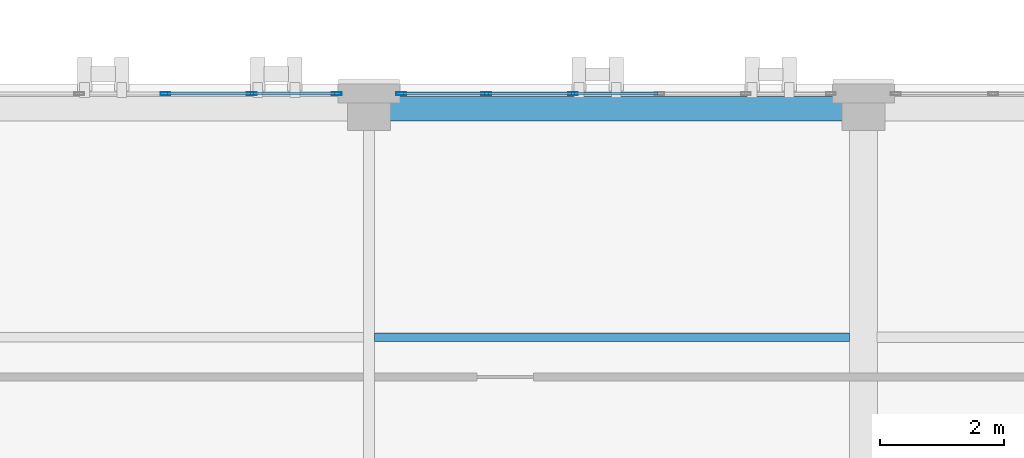
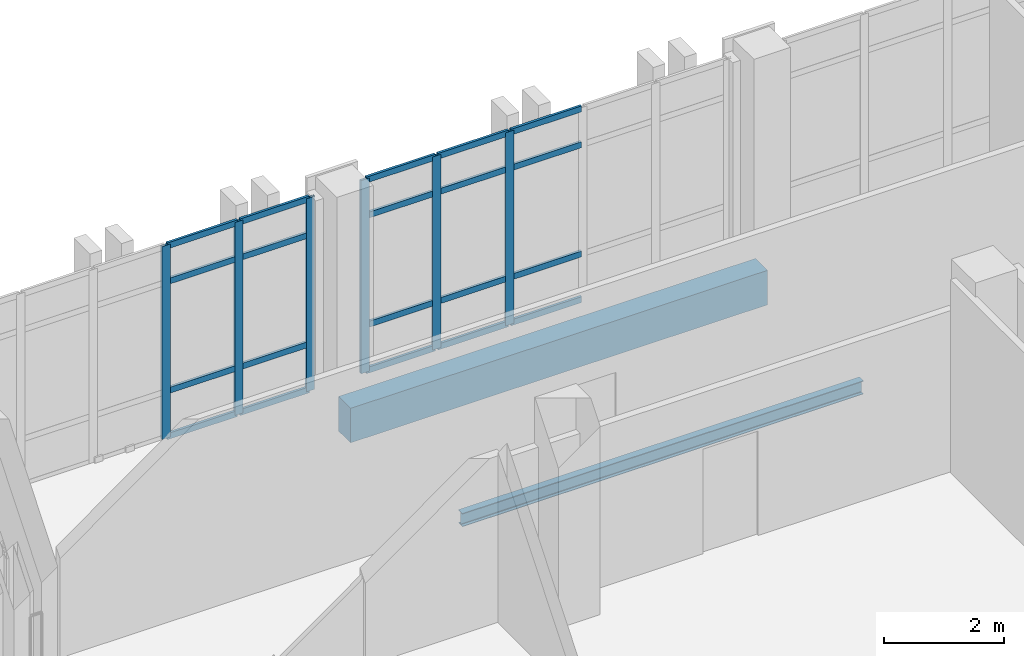
# One storey, part 54 of 193: 26 members, 2 beams, 2 elements without a shape of their own.
"""IFC4 building model written with IfcOpenShell, lengths in metres."""

from ifc_helpers import new_model, si_unit, direction, frame, origin, origin_2d, place, context, subcontext, project, spatial, rectangle, hollow_rectangle, i_section, extrude, material, layer, layer_set, material_profile, profile_set, type_object, element, aggregate, save


model = new_model("IFC4")

# Units and contexts
model_context = context("Model", 3, precision=1e-05, world=origin(), true_north=direction((0.0, 1.0)))
body_context = subcontext(model_context, "Body", "Model", "MODEL_VIEW")
ifc_project = project(units=[si_unit("LENGTHUNIT", "METRE"), si_unit("AREAUNIT", "SQUARE_METRE"), si_unit("VOLUMEUNIT", "CUBIC_METRE"), si_unit("PLANEANGLEUNIT", "RADIAN"), si_unit("MASSUNIT", "GRAM", prefix="KILO")], contexts=[model_context])

# Site, building, storey
site_placement = place(None, origin())
site = spatial("IfcSite", under=ifc_project, at=site_placement, CompositionType="ELEMENT")
building_placement = place(site_placement, origin())
building = spatial("IfcBuilding", under=site, at=building_placement, Name="Qalavern Law Courts", CompositionType="ELEMENT")
storey_placement = place(building_placement, frame((0.0, 0.0, 10.199951171875)))
storey = spatial("IfcBuildingStorey", under=building, at=storey_placement, Name="L02", CompositionType="ELEMENT", Elevation=10.199951171875)

# Curtain wall, members
ifc_material_1 = material(Name="Anodised aluminium and insulated glazing", Category="aluminium")
ifc_layer = layer(ifc_material_1, 0.172119140625)
ifc_layer_set = layer_set([ifc_layer], Name="Anodised aluminium and insulated glazing")
curtain_wall_type = type_object("IfcCurtainWallType", Name="ENV-CW-COURT", PredefinedType="USERDEFINED", material=ifc_layer_set)
curtain_wall_1_placement = place(storey_placement, origin())
curtain_wall_1 = element("IfcCurtainWall", 1, at=curtain_wall_1_placement, inside=storey, type_object=curtain_wall_type, Name="V6 unitised curtain wall L02 north 7", ObjectType="UNITISED CURTAIN WALL", PredefinedType="USERDEFINED")
ifc_material_2 = material(Name="Anodised aluminium", Category="aluminium")
ifc_material_profile_1 = material_profile(ifc_material_2, hollow_rectangle(XDim=0.048095703125, YDim=0.159912109375, WallThickness=0.00390625, at=origin_2d()), Name="ALU MULLION 48x160")
ifc_profile_set_1 = profile_set([ifc_material_profile_1], Name="Anodised aluminium")
member_type_1 = type_object("IfcMemberType", Name="ENV-CWM-48x160", PredefinedType="MULLION", material=ifc_profile_set_1)
member_1_placement = place(storey_placement, frame((113.10009765625, 22.445068359375, 0.0), z_axis=(0.0, 0.0, 1.0), x_axis=(0.0, -1.0, 0.0)))
member_1 = element("IfcMember", 2, at=member_1_placement, type_object=member_type_1, Name="CW-03 mullion 4", PredefinedType="MULLION", context=body_context, shape_type="SweptSolid", body=[
    extrude(hollow_rectangle(XDim=0.048095703125, YDim=0.159912109375, WallThickness=0.00390625, at=origin_2d()), origin(), (0.0, 0.0, 1.0), 3.9150390625),
])
member_2_placement = place(storey_placement, frame((111.699951171875, 22.445068359375, 0.0), z_axis=(0.0, 0.0, 1.0), x_axis=(0.0, -1.0, 0.0)))
member_2 = element("IfcMember", 3, at=member_2_placement, type_object=member_type_1, Name="CW-03 mullion 5", PredefinedType="MULLION", context=body_context, shape_type="SweptSolid", body=[
    extrude(hollow_rectangle(XDim=0.048095703125, YDim=0.159912109375, WallThickness=0.00390625, at=origin_2d()), origin(), (0.0, 0.0, 1.0), 3.9150390625),
])
member_3_placement = place(storey_placement, frame((110.323974609375, 22.445068359375, 0.0), z_axis=(0.0, 0.0, 1.0), x_axis=(0.0, -1.0, 0.0)))
member_3 = element("IfcMember", 4, at=member_3_placement, type_object=member_type_1, Name="CW-03 mullion 6", PredefinedType="MULLION", context=body_context, shape_type="SweptSolid", body=[
    extrude(hollow_rectangle(XDim=0.048095703125, YDim=0.159912109375, WallThickness=0.00390625, at=origin_2d()), origin(), (0.0, 0.0, 1.0), 3.9150390625),
])

curtain_wall_2_placement = place(storey_placement, origin())
curtain_wall_2 = element("IfcCurtainWall", 5, at=curtain_wall_2_placement, inside=storey, type_object=curtain_wall_type, Name="V6 unitised curtain wall L02 north 8", ObjectType="UNITISED CURTAIN WALL", PredefinedType="USERDEFINED")
member_4_placement = place(storey_placement, frame((109.27587890625, 22.445068359375, 0.0), z_axis=(0.0, 0.0, 1.0), x_axis=(0.0, -1.0, 0.0)))
member_4 = element("IfcMember", 6, at=member_4_placement, type_object=member_type_1, Name="CW-03 mullion 1", PredefinedType="MULLION", context=body_context, shape_type="SweptSolid", body=[
    extrude(hollow_rectangle(XDim=0.048095703125, YDim=0.159912109375, WallThickness=0.00390625, at=origin_2d()), origin(), (0.0, 0.0, 1.0), 3.9150390625),
])
member_5_placement = place(storey_placement, frame((107.904052734375, 22.445068359375, 0.0), z_axis=(0.0, 0.0, 1.0), x_axis=(0.0, -1.0, 0.0)))
member_5 = element("IfcMember", 7, at=member_5_placement, type_object=member_type_1, Name="CW-03 mullion 2", PredefinedType="MULLION", context=body_context, shape_type="SweptSolid", body=[
    extrude(hollow_rectangle(XDim=0.048095703125, YDim=0.159912109375, WallThickness=0.00390625, at=origin_2d()), origin(), (0.0, 0.0, 1.0), 3.9150390625),
])
member_6_placement = place(storey_placement, frame((106.508056640625, 22.445068359375, 0.0), z_axis=(0.0, 0.0, 1.0), x_axis=(0.0, -1.0, 0.0)))
member_6 = element("IfcMember", 8, at=member_6_placement, type_object=member_type_1, Name="CW-03 mullion 3", PredefinedType="MULLION", context=body_context, shape_type="SweptSolid", body=[
    extrude(hollow_rectangle(XDim=0.048095703125, YDim=0.159912109375, WallThickness=0.00390625, at=origin_2d()), origin(), (0.0, 0.0, 1.0), 3.9150390625),
])

# Member
ifc_material_profile_2 = material_profile(ifc_material_2, hollow_rectangle(XDim=0.048095703125, YDim=0.1201171875, WallThickness=0.00390625, at=origin_2d()), Name="ALU TRANSOM 48x120")
ifc_profile_set_2 = profile_set([ifc_material_profile_2], Name="Anodised aluminium")
member_type_2 = type_object("IfcMemberType", Name="ENV-CWT-48x120", PredefinedType="USERDEFINED", material=ifc_profile_set_2)
member_7_placement = place(storey_placement, frame((114.47607421875, 22.445068359375, 0.024169921875), z_axis=(-1.0, 0.0, 0.0), x_axis=(0.0, -1.0, 0.0)))
member_7 = element("IfcMember", 9, at=member_7_placement, type_object=member_type_2, Name="CW-03 transom 3.1", ObjectType="TRANSOM", PredefinedType="USERDEFINED", context=body_context, shape_type="SweptSolid", body=[
    extrude(hollow_rectangle(XDim=0.048095703125, YDim=0.1201171875, WallThickness=0.00390625, at=origin_2d()), origin(), (0.0, 0.0, 1.0), 1.35205078125),
])

member_8_placement = place(storey_placement, frame((114.47607421875, 22.445068359375, 0.949951171875), z_axis=(-1.0, 0.0, 0.0), x_axis=(0.0, -1.0, 0.0)))
member_8 = element("IfcMember", 10, at=member_8_placement, type_object=member_type_2, Name="CW-03 transom 3.2", ObjectType="TRANSOM", PredefinedType="USERDEFINED", context=body_context, shape_type="SweptSolid", body=[
    extrude(hollow_rectangle(XDim=0.048095703125, YDim=0.1201171875, WallThickness=0.00390625, at=origin_2d()), origin(), (0.0, 0.0, 1.0), 1.35205078125),
])

member_9_placement = place(storey_placement, frame((114.47607421875, 22.445068359375, 3.1650390625), z_axis=(-1.0, 0.0, 0.0), x_axis=(0.0, -1.0, 0.0)))
member_9 = element("IfcMember", 11, at=member_9_placement, type_object=member_type_2, Name="CW-03 transom 3.3", ObjectType="TRANSOM", PredefinedType="USERDEFINED", context=body_context, shape_type="SweptSolid", body=[
    extrude(hollow_rectangle(XDim=0.048095703125, YDim=0.1201171875, WallThickness=0.00390625, at=origin_2d()), origin(), (0.0, 0.0, 1.0), 1.35205078125),
])

member_10_placement = place(storey_placement, frame((114.47607421875, 22.445068359375, 3.89111328125), z_axis=(-1.0, 0.0, 0.0), x_axis=(0.0, -1.0, 0.0)))
member_10 = element("IfcMember", 12, at=member_10_placement, type_object=member_type_2, Name="CW-03 transom 3.4", ObjectType="TRANSOM", PredefinedType="USERDEFINED", context=body_context, shape_type="SweptSolid", body=[
    extrude(hollow_rectangle(XDim=0.048095703125, YDim=0.1201171875, WallThickness=0.00390625, at=origin_2d()), origin(), (0.0, 0.0, 1.0), 1.35205078125),
])

member_11_placement = place(storey_placement, frame((113.075927734375, 22.445068359375, 0.024169921875), z_axis=(-1.0, 0.0, 0.0), x_axis=(0.0, -1.0, 0.0)))
member_11 = element("IfcMember", 13, at=member_11_placement, type_object=member_type_2, Name="CW-03 transom 4.1", ObjectType="TRANSOM", PredefinedType="USERDEFINED", context=body_context, shape_type="SweptSolid", body=[
    extrude(hollow_rectangle(XDim=0.048095703125, YDim=0.1201171875, WallThickness=0.00390625, at=origin_2d()), origin(), (0.0, 0.0, 1.0), 1.351806640625),
])

member_12_placement = place(storey_placement, frame((113.075927734375, 22.445068359375, 0.949951171875), z_axis=(-1.0, 0.0, 0.0), x_axis=(0.0, -1.0, 0.0)))
member_12 = element("IfcMember", 14, at=member_12_placement, type_object=member_type_2, Name="CW-03 transom 4.2", ObjectType="TRANSOM", PredefinedType="USERDEFINED", context=body_context, shape_type="SweptSolid", body=[
    extrude(hollow_rectangle(XDim=0.048095703125, YDim=0.1201171875, WallThickness=0.00390625, at=origin_2d()), origin(), (0.0, 0.0, 1.0), 1.351806640625),
])

member_13_placement = place(storey_placement, frame((113.075927734375, 22.445068359375, 3.1650390625), z_axis=(-1.0, 0.0, 0.0), x_axis=(0.0, -1.0, 0.0)))
member_13 = element("IfcMember", 15, at=member_13_placement, type_object=member_type_2, Name="CW-03 transom 4.3", ObjectType="TRANSOM", PredefinedType="USERDEFINED", context=body_context, shape_type="SweptSolid", body=[
    extrude(hollow_rectangle(XDim=0.048095703125, YDim=0.1201171875, WallThickness=0.00390625, at=origin_2d()), origin(), (0.0, 0.0, 1.0), 1.351806640625),
])

member_14_placement = place(storey_placement, frame((113.075927734375, 22.445068359375, 3.89111328125), z_axis=(-1.0, 0.0, 0.0), x_axis=(0.0, -1.0, 0.0)))
member_14 = element("IfcMember", 16, at=member_14_placement, type_object=member_type_2, Name="CW-03 transom 4.4", ObjectType="TRANSOM", PredefinedType="USERDEFINED", context=body_context, shape_type="SweptSolid", body=[
    extrude(hollow_rectangle(XDim=0.048095703125, YDim=0.1201171875, WallThickness=0.00390625, at=origin_2d()), origin(), (0.0, 0.0, 1.0), 1.351806640625),
])

member_15_placement = place(storey_placement, frame((111.676025390625, 22.445068359375, 0.024169921875), z_axis=(-1.0, 0.0, 0.0), x_axis=(0.0, -1.0, 0.0)))
member_15 = element("IfcMember", 17, at=member_15_placement, type_object=member_type_2, Name="CW-03 transom 5.1", ObjectType="TRANSOM", PredefinedType="USERDEFINED", context=body_context, shape_type="SweptSolid", body=[
    extrude(hollow_rectangle(XDim=0.048095703125, YDim=0.1201171875, WallThickness=0.00390625, at=origin_2d()), origin(), (0.0, 0.0, 1.0), 1.328125),
])

member_16_placement = place(storey_placement, frame((111.676025390625, 22.445068359375, 0.949951171875), z_axis=(-1.0, 0.0, 0.0), x_axis=(0.0, -1.0, 0.0)))
member_16 = element("IfcMember", 18, at=member_16_placement, type_object=member_type_2, Name="CW-03 transom 5.2", ObjectType="TRANSOM", PredefinedType="USERDEFINED", context=body_context, shape_type="SweptSolid", body=[
    extrude(hollow_rectangle(XDim=0.048095703125, YDim=0.1201171875, WallThickness=0.00390625, at=origin_2d()), origin(), (0.0, 0.0, 1.0), 1.328125),
])

member_17_placement = place(storey_placement, frame((111.676025390625, 22.445068359375, 3.1650390625), z_axis=(-1.0, 0.0, 0.0), x_axis=(0.0, -1.0, 0.0)))
member_17 = element("IfcMember", 19, at=member_17_placement, type_object=member_type_2, Name="CW-03 transom 5.3", ObjectType="TRANSOM", PredefinedType="USERDEFINED", context=body_context, shape_type="SweptSolid", body=[
    extrude(hollow_rectangle(XDim=0.048095703125, YDim=0.1201171875, WallThickness=0.00390625, at=origin_2d()), origin(), (0.0, 0.0, 1.0), 1.328125),
])

member_18_placement = place(storey_placement, frame((111.676025390625, 22.445068359375, 3.89111328125), z_axis=(-1.0, 0.0, 0.0), x_axis=(0.0, -1.0, 0.0)))
member_18 = element("IfcMember", 20, at=member_18_placement, type_object=member_type_2, Name="CW-03 transom 5.4", ObjectType="TRANSOM", PredefinedType="USERDEFINED", context=body_context, shape_type="SweptSolid", body=[
    extrude(hollow_rectangle(XDim=0.048095703125, YDim=0.1201171875, WallThickness=0.00390625, at=origin_2d()), origin(), (0.0, 0.0, 1.0), 1.328125),
])

aggregate(curtain_wall_1, [member_1, member_2, member_3, member_7, member_8, member_9, member_10, member_11, member_12, member_13, member_14, member_15, member_16, member_17, member_18])

member_19_placement = place(storey_placement, frame((109.251953125, 22.445068359375, 0.024169921875), z_axis=(-1.0, 0.0, 0.0), x_axis=(0.0, -1.0, 0.0)))
member_19 = element("IfcMember", 21, at=member_19_placement, type_object=member_type_2, Name="CW-03 transom 1.1", ObjectType="TRANSOM", PredefinedType="USERDEFINED", context=body_context, shape_type="SweptSolid", body=[
    extrude(hollow_rectangle(XDim=0.048095703125, YDim=0.1201171875, WallThickness=0.00390625, at=origin_2d()), origin(), (0.0, 0.0, 1.0), 1.323974609375),
])

member_20_placement = place(storey_placement, frame((109.251953125, 22.445068359375, 0.949951171875), z_axis=(-1.0, 0.0, 0.0), x_axis=(0.0, -1.0, 0.0)))
member_20 = element("IfcMember", 22, at=member_20_placement, type_object=member_type_2, Name="CW-03 transom 1.2", ObjectType="TRANSOM", PredefinedType="USERDEFINED", context=body_context, shape_type="SweptSolid", body=[
    extrude(hollow_rectangle(XDim=0.048095703125, YDim=0.1201171875, WallThickness=0.00390625, at=origin_2d()), origin(), (0.0, 0.0, 1.0), 1.323974609375),
])

member_21_placement = place(storey_placement, frame((109.251953125, 22.445068359375, 3.1650390625), z_axis=(-1.0, 0.0, 0.0), x_axis=(0.0, -1.0, 0.0)))
member_21 = element("IfcMember", 23, at=member_21_placement, type_object=member_type_2, Name="CW-03 transom 1.3", ObjectType="TRANSOM", PredefinedType="USERDEFINED", context=body_context, shape_type="SweptSolid", body=[
    extrude(hollow_rectangle(XDim=0.048095703125, YDim=0.1201171875, WallThickness=0.00390625, at=origin_2d()), origin(), (0.0, 0.0, 1.0), 1.323974609375),
])

member_22_placement = place(storey_placement, frame((109.251953125, 22.445068359375, 3.89111328125), z_axis=(-1.0, 0.0, 0.0), x_axis=(0.0, -1.0, 0.0)))
member_22 = element("IfcMember", 24, at=member_22_placement, type_object=member_type_2, Name="CW-03 transom 1.4", ObjectType="TRANSOM", PredefinedType="USERDEFINED", context=body_context, shape_type="SweptSolid", body=[
    extrude(hollow_rectangle(XDim=0.048095703125, YDim=0.1201171875, WallThickness=0.00390625, at=origin_2d()), origin(), (0.0, 0.0, 1.0), 1.323974609375),
])

member_23_placement = place(storey_placement, frame((107.8798828125, 22.445068359375, 0.024169921875), z_axis=(-1.0, 0.0, 0.0), x_axis=(0.0, -1.0, 0.0)))
member_23 = element("IfcMember", 25, at=member_23_placement, type_object=member_type_2, Name="CW-03 transom 2.1", ObjectType="TRANSOM", PredefinedType="USERDEFINED", context=body_context, shape_type="SweptSolid", body=[
    extrude(hollow_rectangle(XDim=0.048095703125, YDim=0.1201171875, WallThickness=0.00390625, at=origin_2d()), origin(), (0.0, 0.0, 1.0), 1.347900390625),
])

member_24_placement = place(storey_placement, frame((107.8798828125, 22.445068359375, 0.949951171875), z_axis=(-1.0, 0.0, 0.0), x_axis=(0.0, -1.0, 0.0)))
member_24 = element("IfcMember", 26, at=member_24_placement, type_object=member_type_2, Name="CW-03 transom 2.2", ObjectType="TRANSOM", PredefinedType="USERDEFINED", context=body_context, shape_type="SweptSolid", body=[
    extrude(hollow_rectangle(XDim=0.048095703125, YDim=0.1201171875, WallThickness=0.00390625, at=origin_2d()), origin(), (0.0, 0.0, 1.0), 1.347900390625),
])

member_25_placement = place(storey_placement, frame((107.8798828125, 22.445068359375, 3.1650390625), z_axis=(-1.0, 0.0, 0.0), x_axis=(0.0, -1.0, 0.0)))
member_25 = element("IfcMember", 27, at=member_25_placement, type_object=member_type_2, Name="CW-03 transom 2.3", ObjectType="TRANSOM", PredefinedType="USERDEFINED", context=body_context, shape_type="SweptSolid", body=[
    extrude(hollow_rectangle(XDim=0.048095703125, YDim=0.1201171875, WallThickness=0.00390625, at=origin_2d()), origin(), (0.0, 0.0, 1.0), 1.347900390625),
])

member_26_placement = place(storey_placement, frame((107.8798828125, 22.445068359375, 3.89111328125), z_axis=(-1.0, 0.0, 0.0), x_axis=(0.0, -1.0, 0.0)))
member_26 = element("IfcMember", 28, at=member_26_placement, type_object=member_type_2, Name="CW-03 transom 2.4", ObjectType="TRANSOM", PredefinedType="USERDEFINED", context=body_context, shape_type="SweptSolid", body=[
    extrude(hollow_rectangle(XDim=0.048095703125, YDim=0.1201171875, WallThickness=0.00390625, at=origin_2d()), origin(), (0.0, 0.0, 1.0), 1.347900390625),
])

aggregate(curtain_wall_2, [member_4, member_5, member_6, member_19, member_20, member_21, member_22, member_23, member_24, member_25, member_26])

# Beams
ifc_material_3 = material(Name="Steel S355", Category="steel")
ifc_material_profile_3 = material_profile(ifc_material_3, i_section(OverallWidth=0.135009765625, OverallDepth=0.27001953125, WebThickness=0.006591796875, FlangeThickness=0.01025390625, FilletRadius=0.014892578125, at=origin_2d()), Name="IPE 270")
ifc_profile_set_3 = profile_set([ifc_material_profile_3], Name="Steel S355")
beam_type_1 = type_object("IfcBeamType", Name="STR-JST-IPE270", PredefinedType="JOIST", material=ifc_profile_set_3)
beam_1_placement = place(storey_placement, frame((109.887939453125, 18.5, -0.425048828125), z_axis=(1.0, 0.0, 0.0), x_axis=(0.0, 1.0, 0.0)))
element("IfcBeam", 29, at=beam_1_placement, inside=storey, type_object=beam_type_1, Name="V6 secondary joist 2.3.1 L02", PredefinedType="JOIST", context=body_context, shape_type="SweptSolid", body=[
    extrude(i_section(OverallWidth=0.135009765625, OverallDepth=0.27001953125, WebThickness=0.006591796875, FlangeThickness=0.01025390625, FilletRadius=0.014892578125, at=origin_2d()), origin(), (0.0, 0.0, 1.0), 7.68896484375),
])
ifc_material_4 = material(Name="Concrete C40/50", Category="concrete")
ifc_material_profile_4 = material_profile(ifc_material_4, rectangle(XDim=0.39990234375, YDim=0.699951171875, at=origin_2d()), Name="RC 400x700")
ifc_profile_set_4 = profile_set([ifc_material_profile_4], Name="Concrete C40/50")
beam_type_2 = type_object("IfcBeamType", Name="STR-SP-RC400x700", PredefinedType="SPANDREL", material=ifc_profile_set_4)
beam_2_placement = place(storey_placement, frame((109.800048828125, 22.199951171875, -0.639892578125), z_axis=(1.0, 0.0, 0.0), x_axis=(0.0, 1.0, 0.0)))
element("IfcBeam", 30, at=beam_2_placement, inside=storey, type_object=beam_type_2, Name="V6 X-beam 4-2 L02", PredefinedType="SPANDREL", context=body_context, shape_type="SweptSolid", body=[
    extrude(rectangle(XDim=0.39990234375, YDim=0.699951171875, at=origin_2d()), origin(), (0.0, 0.0, 1.0), 8.0),
])

save(model, "model.ifc")
